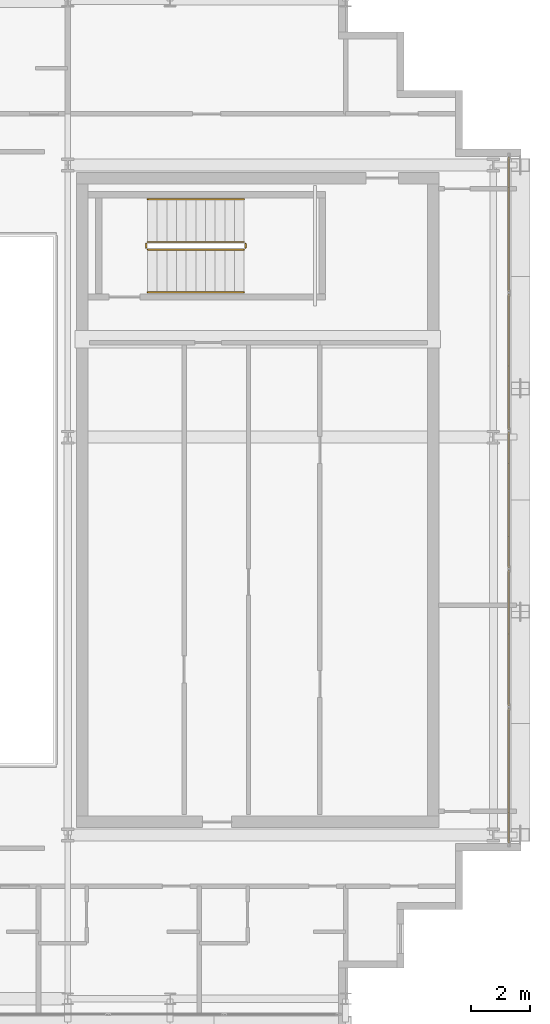
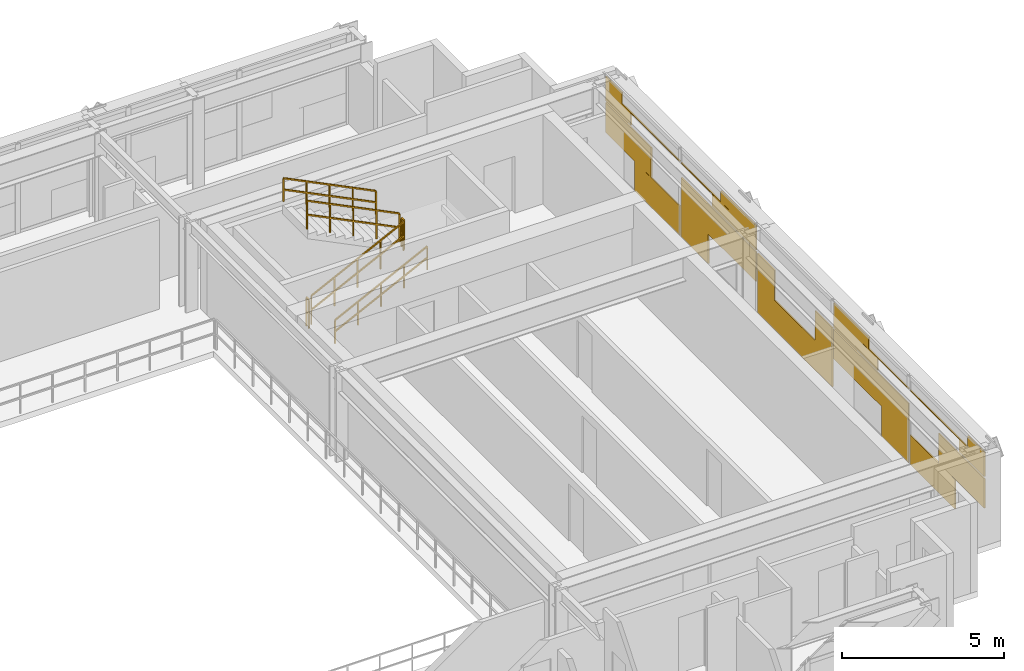
# One storey, part 26 of 27: 6 railings, 1 covering.
"""IFC4 building model written with IfcOpenShell, lengths in metres."""

from ifc_helpers import new_model, si_unit, direction, frame, origin, origin_2d, place, context, subcontext, project, spatial, rectangle, extrude, material, layer, layer_set, type_object, element, save


model = new_model("IFC4")

# Units and contexts
model_context = context("Model", 3, precision=1e-05, world=origin(), true_north=direction((0.0, 1.0)))
body_context = subcontext(model_context, "Body", "Model", "MODEL_VIEW")
ifc_project = project(units=[si_unit("LENGTHUNIT", "METRE"), si_unit("AREAUNIT", "SQUARE_METRE"), si_unit("VOLUMEUNIT", "CUBIC_METRE"), si_unit("PLANEANGLEUNIT", "RADIAN"), si_unit("MASSUNIT", "GRAM", prefix="KILO")], contexts=[model_context])

# Site, building, storey
site_placement = place(None, origin())
site = spatial("IfcSite", under=ifc_project, at=site_placement, CompositionType="ELEMENT")
building_placement = place(site_placement, origin())
building = spatial("IfcBuilding", under=site, at=building_placement, Name="Ocotamira Hotel", CompositionType="ELEMENT")
storey_placement = place(building_placement, frame((0.0, 0.0, 232.800048828125)))
storey = spatial("IfcBuildingStorey", under=building, at=storey_placement, Name="L58", CompositionType="ELEMENT", Elevation=232.800048828125)

# Covering
ifc_material_1 = material(Name="Insulated pale-metal aluminium spandrel panel", Category="aluminium")
ifc_layer = layer(ifc_material_1, 0.044921875)
ifc_layer_set = layer_set([ifc_layer], Name="Insulated pale-metal aluminium spandrel panel")
covering_type = type_object("IfcCoveringType", Name="COV-INFILL-45", PredefinedType="CLADDING", material=ifc_layer_set)
covering_placement = place(storey_placement, origin())
element("IfcCovering", 1, at=covering_placement, inside=storey, type_object=covering_type, Name="L58 Curtain Wall Infill CW-5 CW-L58-E", PredefinedType="CLADDING", context=body_context, shape_type="SweptSolid", body=[
    extrude(rectangle(XDim=2.831787109375, YDim=0.044921875, at=origin_2d()), frame((55.580078125, 15.6962890625, 1.19384765625), z_axis=(0.0, 0.0, 1.0), x_axis=(0.0, 1.0, 0.0)), (0.0, 0.0, 1.0), 1.117919921875),
    extrude(rectangle(XDim=2.786376953125, YDim=0.044921875, at=origin_2d()), frame((55.580078125, 17.486328125, 0.0751953125), z_axis=(0.0, 0.0, 1.0), x_axis=(0.0, 1.0, 0.0)), (0.0, 0.0, 1.0), 1.117919921875),
    extrude(rectangle(XDim=1.56640625, YDim=0.044921875, at=origin_2d()), frame((55.580078125, 15.063720703125, 2.387939453125), z_axis=(0.0, 0.0, 1.0), x_axis=(0.0, 1.0, 0.0)), (0.0, 0.0, 1.0), 0.4697265625),
    extrude(rectangle(XDim=4.59912109375, YDim=0.044921875, at=origin_2d()), frame((55.580078125, 16.580078125, 2.858642578125), z_axis=(0.0, 0.0, 1.0), x_axis=(0.0, 1.0, 0.0)), (0.0, 0.0, 1.0), 0.033203125),
    extrude(rectangle(XDim=1.03076171875, YDim=0.044921875, at=origin_2d()), frame((55.580078125, 14.7958984375, 2.892822265625), z_axis=(0.0, 0.0, 1.0), x_axis=(0.0, 1.0, 0.0)), (0.0, 0.0, 1.0), 0.41162109375),
    extrude(rectangle(XDim=1.6796875, YDim=0.044921875, at=origin_2d()), frame((55.580078125, 19.80029296875, 0.0751953125), z_axis=(0.0, 0.0, 1.0), x_axis=(0.0, 1.0, 0.0)), (0.0, 0.0, 1.0), 1.117919921875),
    extrude(rectangle(XDim=4.638916015625, YDim=0.044921875, at=origin_2d()), frame((55.580078125, 21.280029296875, 1.19384765625), z_axis=(0.0, 0.0, 1.0), x_axis=(0.0, 1.0, 0.0)), (0.0, 0.0, 1.0), 1.117919921875),
    extrude(rectangle(XDim=4.638916015625, YDim=0.044921875, at=origin_2d()), frame((55.580078125, 21.280029296875, 2.858642578125), z_axis=(0.0, 0.0, 1.0), x_axis=(0.0, 1.0, 0.0)), (0.0, 0.0, 1.0), 0.033203125),
    extrude(rectangle(XDim=2.712890625, YDim=0.044921875, at=origin_2d()), frame((55.580078125, 22.242919921875, 2.387939453125), z_axis=(0.0, 0.0, 1.0), x_axis=(0.0, 1.0, 0.0)), (0.0, 0.0, 1.0), 0.4697265625),
    extrude(rectangle(XDim=2.177490234375, YDim=0.044921875, at=origin_2d()), frame((55.580078125, 22.5107421875, 2.892822265625), z_axis=(0.0, 0.0, 1.0), x_axis=(0.0, 1.0, 0.0)), (0.0, 0.0, 1.0), 0.41162109375),
    extrude(rectangle(XDim=4.638916015625, YDim=0.044921875, at=origin_2d()), frame((55.580078125, 26.0, 0.0751953125), z_axis=(0.0, 0.0, 1.0), x_axis=(0.0, 1.0, 0.0)), (0.0, 0.0, 1.0), 1.117919921875),
    extrude(rectangle(XDim=1.065185546875, YDim=0.044921875, at=origin_2d()), frame((55.580078125, 24.213134765625, 1.19384765625), z_axis=(0.0, 0.0, 1.0), x_axis=(0.0, 1.0, 0.0)), (0.0, 0.0, 1.0), 1.117919921875),
    extrude(rectangle(XDim=1.065185546875, YDim=0.044921875, at=origin_2d()), frame((55.580078125, 27.786865234375, 1.19384765625), z_axis=(0.0, 0.0, 1.0), x_axis=(0.0, 1.0, 0.0)), (0.0, 0.0, 1.0), 1.117919921875),
    extrude(rectangle(XDim=4.638916015625, YDim=0.044921875, at=origin_2d()), frame((55.580078125, 30.719970703125, 1.19384765625), z_axis=(0.0, 0.0, 1.0), x_axis=(0.0, 1.0, 0.0)), (0.0, 0.0, 1.0), 1.117919921875),
    extrude(rectangle(XDim=1.6796875, YDim=0.044921875, at=origin_2d()), frame((55.580078125, 32.19970703125, 0.0751953125), z_axis=(0.0, 0.0, 1.0), x_axis=(0.0, 1.0, 0.0)), (0.0, 0.0, 1.0), 1.117919921875),
    extrude(rectangle(XDim=2.712890625, YDim=0.044921875, at=origin_2d()), frame((55.580078125, 29.757080078125, 2.387939453125), z_axis=(0.0, 0.0, 1.0), x_axis=(0.0, 1.0, 0.0)), (0.0, 0.0, 1.0), 0.4697265625),
    extrude(rectangle(XDim=4.638916015625, YDim=0.044921875, at=origin_2d()), frame((55.580078125, 30.719970703125, 2.858642578125), z_axis=(0.0, 0.0, 1.0), x_axis=(0.0, 1.0, 0.0)), (0.0, 0.0, 1.0), 0.033203125),
    extrude(rectangle(XDim=2.177490234375, YDim=0.044921875, at=origin_2d()), frame((55.580078125, 29.4892578125, 2.892822265625), z_axis=(0.0, 0.0, 1.0), x_axis=(0.0, 1.0, 0.0)), (0.0, 0.0, 1.0), 0.41162109375),
    extrude(rectangle(XDim=2.786376953125, YDim=0.044921875, at=origin_2d()), frame((55.580078125, 34.513671875, 0.0751953125), z_axis=(0.0, 0.0, 1.0), x_axis=(0.0, 1.0, 0.0)), (0.0, 0.0, 1.0), 1.117919921875),
    extrude(rectangle(XDim=2.831787109375, YDim=0.044921875, at=origin_2d()), frame((55.580078125, 36.3037109375, 1.19384765625), z_axis=(0.0, 0.0, 1.0), x_axis=(0.0, 1.0, 0.0)), (0.0, 0.0, 1.0), 1.117919921875),
    extrude(rectangle(XDim=4.59912109375, YDim=0.044921875, at=origin_2d()), frame((55.580078125, 35.419921875, 2.858642578125), z_axis=(0.0, 0.0, 1.0), x_axis=(0.0, 1.0, 0.0)), (0.0, 0.0, 1.0), 0.033203125),
    extrude(rectangle(XDim=1.56640625, YDim=0.044921875, at=origin_2d()), frame((55.580078125, 36.936279296875, 2.387939453125), z_axis=(0.0, 0.0, 1.0), x_axis=(0.0, 1.0, 0.0)), (0.0, 0.0, 1.0), 0.4697265625),
    extrude(rectangle(XDim=1.03076171875, YDim=0.044921875, at=origin_2d()), frame((55.580078125, 37.2041015625, 2.892822265625), z_axis=(0.0, 0.0, 1.0), x_axis=(0.0, 1.0, 0.0)), (0.0, 0.0, 1.0), 0.41162109375),
])

# Railings
ifc_material_2 = material(Name="Brushed stainless steel handrail", Category="steel")
railing_type_1 = type_object("IfcRailingType", Name="RL-HAND-900", PredefinedType="HANDRAIL", material=ifc_material_2)
railing_1_placement = place(storey_placement, frame((43.22998046875, 33.10009765625, 0.3271484375)))
element("IfcRailing", 2, at=railing_1_placement, inside=storey, type_object=railing_type_1, Name="L58 ST-4 stair handrail 1", PredefinedType="HANDRAIL", context=body_context, shape_type="SweptSolid", body=[
    extrude(rectangle(XDim=0.048095703125, YDim=0.048095703125, at=origin_2d()), frame((0.0, 0.0, 0.8759765625), z_axis=(0.895893744519, 0.0, 0.4442683857), x_axis=(0.0, 1.0, 0.0)), (0.0, 0.0, 1.0), 3.68359375),
    extrude(rectangle(XDim=0.048095703125, YDim=0.048095703125, at=origin_2d()), frame((0.0, 0.0, 0.449951171875), z_axis=(0.895893744519, 0.0, 0.4442683857), x_axis=(0.0, 1.0, 0.0)), (0.0, 0.0, 1.0), 3.68359375),
    extrude(rectangle(XDim=0.0419921875, YDim=0.0419921875, at=origin_2d()), origin(), (0.0, 0.0, 1.0), 0.851806640625),
    extrude(rectangle(XDim=0.0419921875, YDim=0.0419921875, at=origin_2d()), frame((0.824951171875, 0.0, 0.4091796875)), (0.0, 0.0, 1.0), 0.851806640625),
    extrude(rectangle(XDim=0.0419921875, YDim=0.0419921875, at=origin_2d()), frame((1.64990234375, 0.0, 0.818359375)), (0.0, 0.0, 1.0), 0.851806640625),
    extrude(rectangle(XDim=0.0419921875, YDim=0.0419921875, at=origin_2d()), frame((2.47509765625, 0.0, 1.227294921875)), (0.0, 0.0, 1.0), 0.851806640625),
    extrude(rectangle(XDim=0.0419921875, YDim=0.0419921875, at=origin_2d()), frame((3.300048828125, 0.0, 1.636474609375)), (0.0, 0.0, 1.0), 0.851806640625),
])
railing_2_placement = place(storey_placement, frame((46.530029296875, 36.280029296875, 2.127197265625)))
element("IfcRailing", 3, at=railing_2_placement, inside=storey, type_object=railing_type_1, Name="L58 ST-4 stair handrail 2", PredefinedType="HANDRAIL", context=body_context, shape_type="SweptSolid", body=[
    extrude(rectangle(XDim=0.048095703125, YDim=0.048095703125, at=origin_2d()), frame((0.0, 0.0, 0.8759765625), z_axis=(-0.895893744519, 0.0, 0.4442683857), x_axis=(0.0, -1.0, 0.0)), (0.0, 0.0, 1.0), 3.68359375),
    extrude(rectangle(XDim=0.048095703125, YDim=0.048095703125, at=origin_2d()), frame((0.0, 0.0, 0.449951171875), z_axis=(-0.895893744519, 0.0, 0.4442683857), x_axis=(0.0, -1.0, 0.0)), (0.0, 0.0, 1.0), 3.68359375),
    extrude(rectangle(XDim=0.0419921875, YDim=0.0419921875, at=origin_2d()), origin(), (0.0, 0.0, 1.0), 0.851806640625),
    extrude(rectangle(XDim=0.0419921875, YDim=0.0419921875, at=origin_2d()), frame((-0.824951171875, 0.0, 0.4091796875)), (0.0, 0.0, 1.0), 0.851806640625),
    extrude(rectangle(XDim=0.0419921875, YDim=0.0419921875, at=origin_2d()), frame((-1.64990234375, 0.0, 0.818359375)), (0.0, 0.0, 1.0), 0.851806640625),
    extrude(rectangle(XDim=0.0419921875, YDim=0.0419921875, at=origin_2d()), frame((-2.47509765625, 0.0, 1.227294921875)), (0.0, 0.0, 1.0), 0.851806640625),
    extrude(rectangle(XDim=0.0419921875, YDim=0.0419921875, at=origin_2d()), frame((-3.300048828125, 0.0, 1.636474609375)), (0.0, 0.0, 1.0), 0.851806640625),
])
ifc_material_3 = material(Name="Painted steel stair guardrail", Category="steel")
railing_type_2 = type_object("IfcRailingType", Name="RL-STAIR-1100", PredefinedType="GUARDRAIL", material=ifc_material_3)
railing_3_placement = place(storey_placement, frame((43.22998046875, 34.56005859375, 0.16357421875)))
element("IfcRailing", 4, at=railing_3_placement, inside=storey, type_object=railing_type_2, Name="L58 ST-4 stair guard 1", PredefinedType="GUARDRAIL", context=body_context, shape_type="SweptSolid", body=[
    extrude(rectangle(XDim=0.048095703125, YDim=0.048095703125, at=origin_2d()), frame((0.0, 0.0, 1.076171875), z_axis=(0.895893744519, 0.0, 0.4442683857), x_axis=(0.0, 1.0, 0.0)), (0.0, 0.0, 1.0), 3.68359375),
    extrude(rectangle(XDim=0.048095703125, YDim=0.048095703125, at=origin_2d()), frame((0.0, 0.0, 0.550048828125), z_axis=(0.895893744519, 0.0, 0.4442683857), x_axis=(0.0, 1.0, 0.0)), (0.0, 0.0, 1.0), 3.68359375),
    extrude(rectangle(XDim=0.0419921875, YDim=0.0419921875, at=origin_2d()), origin(), (0.0, 0.0, 1.0), 1.052001953125),
    extrude(rectangle(XDim=0.0419921875, YDim=0.0419921875, at=origin_2d()), frame((0.824951171875, 0.0, 0.4091796875)), (0.0, 0.0, 1.0), 1.052001953125),
    extrude(rectangle(XDim=0.0419921875, YDim=0.0419921875, at=origin_2d()), frame((1.64990234375, 0.0, 0.818359375)), (0.0, 0.0, 1.0), 1.052001953125),
    extrude(rectangle(XDim=0.0419921875, YDim=0.0419921875, at=origin_2d()), frame((2.47509765625, 0.0, 1.227294921875)), (0.0, 0.0, 1.0), 1.052001953125),
    extrude(rectangle(XDim=0.0419921875, YDim=0.0419921875, at=origin_2d()), frame((3.300048828125, 0.0, 1.636474609375)), (0.0, 0.0, 1.0), 1.052001953125),
])
railing_4_placement = place(storey_placement, frame((46.580078125, 34.610107421875, 1.800048828125)))
element("IfcRailing", 5, at=railing_4_placement, inside=storey, type_object=railing_type_2, Name="L58 ST-4 stair guard 2", PredefinedType="GUARDRAIL", context=body_context, shape_type="SweptSolid", body=[
    extrude(rectangle(XDim=0.048095703125, YDim=0.048095703125, at=origin_2d()), frame((0.0, 0.0, 1.076171875), z_axis=(0.0, 1.0, 0.0), x_axis=(-1.0, 0.0, 0.0)), (0.0, 0.0, 1.0), 0.159912109375),
    extrude(rectangle(XDim=0.048095703125, YDim=0.048095703125, at=origin_2d()), frame((0.0, 0.0, 0.550048828125), z_axis=(0.0, 1.0, 0.0), x_axis=(-1.0, 0.0, 0.0)), (0.0, 0.0, 1.0), 0.159912109375),
    extrude(rectangle(XDim=0.0419921875, YDim=0.0419921875, at=origin_2d()), origin(), (0.0, 0.0, 1.0), 1.052001953125),
    extrude(rectangle(XDim=0.0419921875, YDim=0.0419921875, at=origin_2d()), frame((0.0, 0.159912109375, 0.0)), (0.0, 0.0, 1.0), 1.052001953125),
])
railing_5_placement = place(storey_placement, frame((46.530029296875, 34.820068359375, 1.963623046875)))
element("IfcRailing", 6, at=railing_5_placement, inside=storey, type_object=railing_type_2, Name="L58 ST-4 stair guard 3", PredefinedType="GUARDRAIL", context=body_context, shape_type="SweptSolid", body=[
    extrude(rectangle(XDim=0.048095703125, YDim=0.048095703125, at=origin_2d()), frame((0.0, 0.0, 1.076171875), z_axis=(-0.895920123917, 0.0, 0.444215186098), x_axis=(0.0, -1.0, 0.0)), (0.0, 0.0, 1.0), 3.683349609375),
    extrude(rectangle(XDim=0.048095703125, YDim=0.048095703125, at=origin_2d()), frame((0.0, 0.0, 0.550048828125), z_axis=(-0.895920123917, 0.0, 0.444215186098), x_axis=(0.0, -1.0, 0.0)), (0.0, 0.0, 1.0), 3.683349609375),
    extrude(rectangle(XDim=0.0419921875, YDim=0.0419921875, at=origin_2d()), origin(), (0.0, 0.0, 1.0), 1.052001953125),
    extrude(rectangle(XDim=0.0419921875, YDim=0.0419921875, at=origin_2d()), frame((-0.824951171875, 0.0, 0.4091796875)), (0.0, 0.0, 1.0), 1.052001953125),
    extrude(rectangle(XDim=0.0419921875, YDim=0.0419921875, at=origin_2d()), frame((-1.64990234375, 0.0, 0.818115234375)), (0.0, 0.0, 1.0), 1.052001953125),
    extrude(rectangle(XDim=0.0419921875, YDim=0.0419921875, at=origin_2d()), frame((-2.47509765625, 0.0, 1.22705078125)), (0.0, 0.0, 1.0), 1.052001953125),
    extrude(rectangle(XDim=0.0419921875, YDim=0.0419921875, at=origin_2d()), frame((-3.300048828125, 0.0, 1.63623046875)), (0.0, 0.0, 1.0), 1.052001953125),
])
railing_6_placement = place(storey_placement, frame((43.179931640625, 34.610107421875, 0.0)))
element("IfcRailing", 7, at=railing_6_placement, inside=storey, type_object=railing_type_2, Name="L58 ST-4 stair guard 4", PredefinedType="GUARDRAIL", context=body_context, shape_type="SweptSolid", body=[
    extrude(rectangle(XDim=0.048095703125, YDim=0.048095703125, at=origin_2d()), frame((0.0, 0.0, 1.076171875), z_axis=(0.0, 1.0, 0.0), x_axis=(-1.0, 0.0, 0.0)), (0.0, 0.0, 1.0), 0.159912109375),
    extrude(rectangle(XDim=0.048095703125, YDim=0.048095703125, at=origin_2d()), frame((0.0, 0.0, 0.550048828125), z_axis=(0.0, 1.0, 0.0), x_axis=(-1.0, 0.0, 0.0)), (0.0, 0.0, 1.0), 0.159912109375),
    extrude(rectangle(XDim=0.0419921875, YDim=0.0419921875, at=origin_2d()), origin(), (0.0, 0.0, 1.0), 1.052001953125),
    extrude(rectangle(XDim=0.0419921875, YDim=0.0419921875, at=origin_2d()), frame((0.0, 0.159912109375, 0.0)), (0.0, 0.0, 1.0), 1.052001953125),
])

save(model, "model.ifc")
